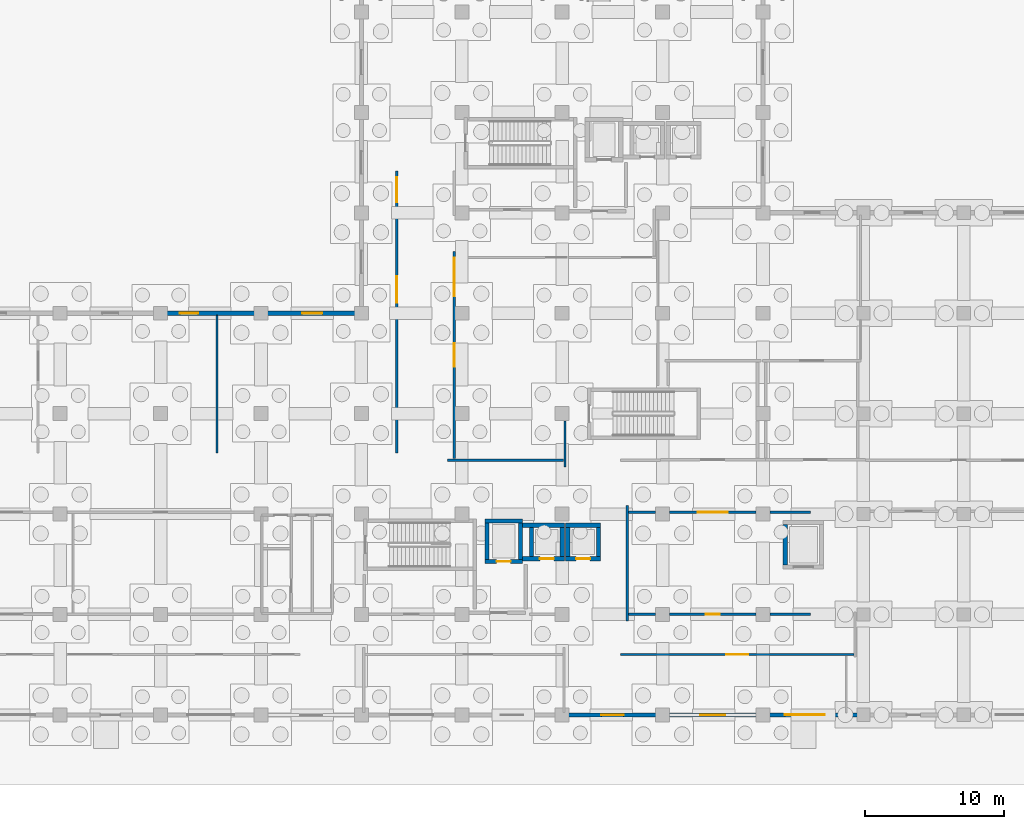
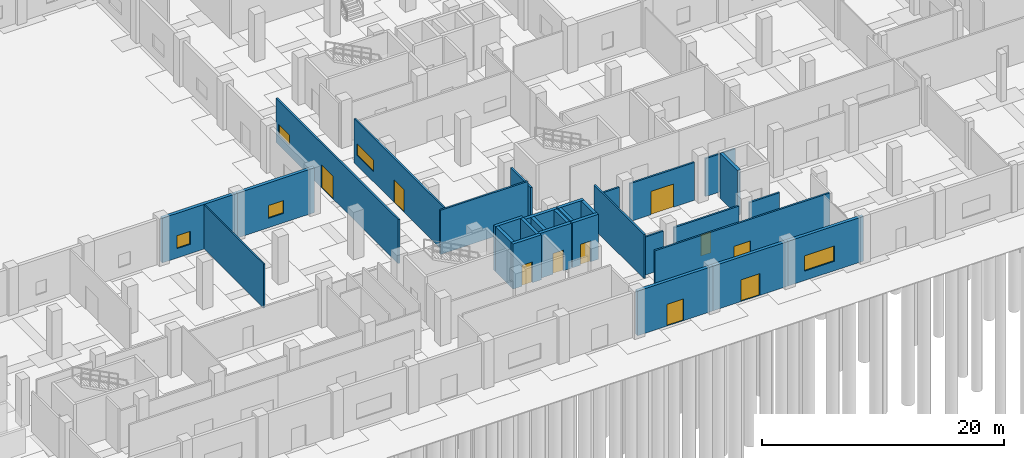
# One storey, part 23 of 48: 31 walls, 10 doors, 5 windows, 15 openings.
"""IFC4 building model written with IfcOpenShell, lengths in metres."""

from ifc_helpers import new_model, si_unit, direction, frame, frame_2d, origin, place, context, subcontext, project, spatial, rectangle, extrude, material, layer, layer_set, type_object, element, fill, save


model = new_model("IFC4")

# Units and contexts
model_context = context("Model", 3, precision=1e-05, world=origin(), true_north=direction((0.0, 1.0)))
body_context = subcontext(model_context, "Body", "Model", "MODEL_VIEW")
ifc_project = project(units=[si_unit("LENGTHUNIT", "METRE"), si_unit("AREAUNIT", "SQUARE_METRE"), si_unit("VOLUMEUNIT", "CUBIC_METRE"), si_unit("PLANEANGLEUNIT", "RADIAN"), si_unit("MASSUNIT", "GRAM", prefix="KILO")], contexts=[model_context])

# Site, building, storey
site_placement = place(None, origin())
site = spatial("IfcSite", under=ifc_project, at=site_placement, CompositionType="ELEMENT")
building_placement = place(site_placement, origin())
building = spatial("IfcBuilding", under=site, at=building_placement, Name="Seraya Terrace Polytechnic", CompositionType="ELEMENT")
storey_placement = place(building_placement, origin())
storey = spatial("IfcBuildingStorey", under=building, at=storey_placement, Name="L00", CompositionType="ELEMENT", Elevation=0.0)

# Wall, opening, window
ifc_material_1 = material(Name="Concrete C40/50", Category="concrete")
ifc_layer_1 = layer(ifc_material_1, 0.300048828125, Name="EW-01")
ifc_layer_set_1 = layer_set([ifc_layer_1], Name="Concrete C40/50")
wall_type_1 = type_object("IfcWallType", Name="EW-01", PredefinedType="SOLIDWALL", material=ifc_layer_set_1)
wall_1_placement = place(storey_placement, frame((115.199951171875, 0.0, 0.0), z_axis=(0.0, 0.0, 1.0), x_axis=(-1.0, 0.0, 0.0)))
wall_1 = element("IfcWall", 1, at=wall_1_placement, inside=storey, type_object=wall_type_1, Name="Exterior structural wall EW-01 L00", PredefinedType="SOLIDWALL", context=body_context, shape_type="SweptSolid", body=[
    extrude(rectangle(XDim=7.199951171875, YDim=0.300048828125, at=frame_2d((3.60009765625, 0.0))), origin(), (0.0, 0.0, 1.0), 4.52001953125),
])
opening_1_placement = place(wall_1_placement, frame((2.780029296875, 0.0, 0.949951171875)))
opening_1 = element("IfcOpeningElement", 2, at=opening_1_placement, cuts=wall_1, Name="Opening WN-23", PredefinedType="OPENING", context=body_context, shape_type="SweptSolid", body=[
    extrude(rectangle(XDim=2.85009765625, YDim=1.550048828125, at=frame_2d((1.425048828125, 0.77490234375))), frame((0.0, 0.162109375, 0.0), z_axis=(0.0, -1.0, 0.0), x_axis=(1.0, 0.0, 0.0)), (0.0, 0.0, 1.0), 0.323974609375),
])
ifc_material_2 = material(Name="Laminated solar-control Low-E double glazing", Category="glass")
window_type_1 = type_object("IfcWindowType", Name="WN-23", PartitioningType="SINGLE_PANEL", PredefinedType="WINDOW", material=ifc_material_2)
window_1_placement = place(opening_1_placement, origin())
window_1 = element("IfcWindow", 3, at=window_1_placement, inside=storey, type_object=window_type_1, Name="Exterior window WN-23 L00", OverallHeight=1.550048828125, OverallWidth=2.85009765625, PartitioningType="SINGLE_PANEL", PredefinedType="WINDOW", context=body_context, shape_type="SweptSolid", body=[
    extrude(rectangle(XDim=2.85009765625, YDim=1.550048828125, at=frame_2d((1.425048828125, 0.77490234375))), frame((0.0, 0.030029296875, 0.0), z_axis=(0.0, -1.0, 0.0), x_axis=(1.0, 0.0, 0.0)), (0.0, 0.0, 1.0), 0.06005859375),
])
fill(opening_1, window_1)

# Wall, opening, door
wall_2_placement = place(storey_placement, frame((108.0, 0.0, 0.0), z_axis=(0.0, 0.0, 1.0), x_axis=(-1.0, 0.0, 0.0)))
wall_2 = element("IfcWall", 4, at=wall_2_placement, inside=storey, type_object=wall_type_1, Name="Exterior structural wall EW-01 L00", PredefinedType="SOLIDWALL", context=body_context, shape_type="SweptSolid", body=[
    extrude(rectangle(XDim=7.199951171875, YDim=0.300048828125, at=frame_2d((3.60009765625, 0.0))), origin(), (0.0, 0.0, 1.0), 4.52001953125),
])
opening_2_placement = place(wall_2_placement, frame((2.699951171875, 0.0, 0.0)))
opening_2 = element("IfcOpeningElement", 5, at=opening_2_placement, cuts=wall_2, Name="Opening ED-01", PredefinedType="OPENING", context=body_context, shape_type="SweptSolid", body=[
    extrude(rectangle(XDim=1.800048828125, YDim=2.199951171875, at=frame_2d((0.89990234375, 1.10009765625))), frame((0.0, 0.162109375, 0.0), z_axis=(0.0, -1.0, 0.0), x_axis=(1.0, 0.0, 0.0)), (0.0, 0.0, 1.0), 0.323974609375),
])
ifc_material_3 = material(Name="Anodised aluminium EN AW-6063 T6", Category="aluminium")
door_type_1 = type_object("IfcDoorType", Name="ED-01", OperationType="DOUBLE_DOOR_SINGLE_SWING", PredefinedType="DOOR", material=ifc_material_3)
door_1_placement = place(opening_2_placement, origin())
door_1 = element("IfcDoor", 6, at=door_1_placement, inside=storey, type_object=door_type_1, Name="Door ED-01 DR-EXIT-L00-025 in WL-EXT-L00-08-08", OperationType="DOUBLE_DOOR_SINGLE_SWING", OverallHeight=2.199951171875, OverallWidth=1.800048828125, PredefinedType="DOOR", context=body_context, shape_type="SweptSolid", body=[
    extrude(rectangle(XDim=1.800048828125, YDim=2.199951171875, at=frame_2d((0.89990234375, 1.10009765625))), frame((0.0, 0.02490234375, 0.0), z_axis=(0.0, -1.0, 0.0), x_axis=(1.0, 0.0, 0.0)), (0.0, 0.0, 1.0), 0.050048828125),
])
fill(opening_2, door_1)

wall_3_placement = place(storey_placement, frame((100.800048828125, 0.0, 0.0), z_axis=(0.0, 0.0, 1.0), x_axis=(-1.0, 0.0, 0.0)))
wall_3 = element("IfcWall", 7, at=wall_3_placement, inside=storey, type_object=wall_type_1, Name="Exterior structural wall EW-01 L00", PredefinedType="SOLIDWALL", context=body_context, shape_type="SweptSolid", body=[
    extrude(rectangle(XDim=7.199951171875, YDim=0.300048828125, at=frame_2d((3.60009765625, 0.0))), origin(), (0.0, 0.0, 1.0), 4.52001953125),
])
opening_3_placement = place(wall_3_placement, frame((2.800048828125, 0.0, 0.0)))
opening_3 = element("IfcOpeningElement", 8, at=opening_3_placement, cuts=wall_3, Name="Opening ED-03", PredefinedType="OPENING", context=body_context, shape_type="SweptSolid", body=[
    extrude(rectangle(XDim=1.60009765625, YDim=2.199951171875, at=frame_2d((0.800048828125, 1.10009765625))), frame((0.0, 0.162109375, 0.0), z_axis=(0.0, -1.0, 0.0), x_axis=(1.0, 0.0, 0.0)), (0.0, 0.0, 1.0), 0.323974609375),
])
door_type_2 = type_object("IfcDoorType", Name="ED-03", OperationType="DOUBLE_DOOR_SINGLE_SWING", PredefinedType="DOOR", material=ifc_material_3)
door_2_placement = place(opening_3_placement, origin())
door_2 = element("IfcDoor", 9, at=door_2_placement, inside=storey, type_object=door_type_2, Name="Door ED-03 DR-STEXIT-ST-05 in WL-EXT-L00-08-09", OperationType="DOUBLE_DOOR_SINGLE_SWING", OverallHeight=2.199951171875, OverallWidth=1.60009765625, PredefinedType="DOOR", context=body_context, shape_type="SweptSolid", body=[
    extrude(rectangle(XDim=1.60009765625, YDim=2.199951171875, at=frame_2d((0.800048828125, 1.10009765625))), frame((0.0, 0.02490234375, 0.0), z_axis=(0.0, -1.0, 0.0), x_axis=(1.0, 0.0, 0.0)), (0.0, 0.0, 1.0), 0.050048828125),
])
fill(opening_3, door_2)

# Wall, opening, window
wall_4_placement = place(storey_placement, frame((64.800048828125, 28.800048828125, 0.0), z_axis=(0.0, 0.0, 1.0), x_axis=(1.0, 0.0, 0.0)))
wall_4 = element("IfcWall", 10, at=wall_4_placement, inside=storey, type_object=wall_type_1, Name="Exterior structural wall EW-01 L00", PredefinedType="SOLIDWALL", context=body_context, shape_type="SweptSolid", body=[
    extrude(rectangle(XDim=7.199951171875, YDim=0.300048828125, at=frame_2d((3.60009765625, 0.0))), origin(), (0.0, 0.0, 1.0), 4.52001953125),
])
opening_4_placement = place(wall_4_placement, frame((1.384521484375, 0.0, 0.949951171875)))
opening_4 = element("IfcOpeningElement", 11, at=opening_4_placement, cuts=wall_4, Name="Opening WN-03", PredefinedType="OPENING", context=body_context, shape_type="SweptSolid", body=[
    extrude(rectangle(XDim=1.300048828125, YDim=1.300048828125, at=frame_2d((0.64990234375, 0.64990234375))), frame((0.0, 0.162109375, 0.0), z_axis=(0.0, -1.0, 0.0), x_axis=(1.0, 0.0, 0.0)), (0.0, 0.0, 1.0), 0.323974609375),
])
window_type_2 = type_object("IfcWindowType", Name="WN-03", PartitioningType="SINGLE_PANEL", PredefinedType="WINDOW", material=ifc_material_2)
window_2_placement = place(opening_4_placement, origin())
window_2 = element("IfcWindow", 12, at=window_2_placement, inside=storey, type_object=window_type_2, Name="Exterior window WN-03 L00", OverallHeight=1.300048828125, OverallWidth=1.300048828125, PartitioningType="SINGLE_PANEL", PredefinedType="WINDOW", context=body_context, shape_type="SweptSolid", body=[
    extrude(rectangle(XDim=1.300048828125, YDim=1.300048828125, at=frame_2d((0.64990234375, 0.64990234375))), frame((0.0, 0.030029296875, 0.0), z_axis=(0.0, -1.0, 0.0), x_axis=(1.0, 0.0, 0.0)), (0.0, 0.0, 1.0), 0.06005859375),
])
fill(opening_4, window_2)

wall_5_placement = place(storey_placement, frame((72.0, 28.800048828125, 0.0), z_axis=(0.0, 0.0, 1.0), x_axis=(1.0, 0.0, 0.0)))
wall_5 = element("IfcWall", 13, at=wall_5_placement, inside=storey, type_object=wall_type_1, Name="Exterior structural wall EW-01 L00", PredefinedType="SOLIDWALL", context=body_context, shape_type="SweptSolid", body=[
    extrude(rectangle(XDim=7.35009765625, YDim=0.300048828125, at=frame_2d((3.675048828125, 0.0))), origin(), (0.0, 0.0, 1.0), 4.52001953125),
])
opening_5_placement = place(wall_5_placement, frame((2.949951171875, 0.0, 0.949951171875)))
opening_5 = element("IfcOpeningElement", 14, at=opening_5_placement, cuts=wall_5, Name="Opening WN-04", PredefinedType="OPENING", context=body_context, shape_type="SweptSolid", body=[
    extrude(rectangle(XDim=1.449951171875, YDim=1.300048828125, at=frame_2d((0.72509765625, 0.64990234375))), frame((0.0, 0.162109375, 0.0), z_axis=(0.0, -1.0, 0.0), x_axis=(1.0, 0.0, 0.0)), (0.0, 0.0, 1.0), 0.323974609375),
])
window_type_3 = type_object("IfcWindowType", Name="WN-04", PartitioningType="SINGLE_PANEL", PredefinedType="WINDOW", material=ifc_material_2)
window_3_placement = place(opening_5_placement, origin())
window_3 = element("IfcWindow", 15, at=window_3_placement, inside=storey, type_object=window_type_3, Name="Exterior window WN-04 L00", OverallHeight=1.300048828125, OverallWidth=1.449951171875, PartitioningType="SINGLE_PANEL", PredefinedType="WINDOW", context=body_context, shape_type="SweptSolid", body=[
    extrude(rectangle(XDim=1.449951171875, YDim=1.300048828125, at=frame_2d((0.72509765625, 0.64990234375))), frame((0.0, 0.030029296875, 0.0), z_axis=(0.0, -1.0, 0.0), x_axis=(1.0, 0.0, 0.0)), (0.0, 0.0, 1.0), 0.06005859375),
])
fill(opening_5, window_3)

# Walls
ifc_material_4 = material(Name="Autoclaved aerated concrete blockwork", Category="masonry")
ifc_layer_2 = layer(ifc_material_4, 0.169921875, Name="PT-02")
ifc_layer_set_2 = layer_set([ifc_layer_2], Name="Autoclaved aerated concrete blockwork")
wall_type_2 = type_object("IfcWallType", Name="PT-02", PredefinedType="PARTITIONING", material=ifc_layer_set_2)
wall_6_placement = place(storey_placement, frame((98.27001953125, 6.72998046875, 0.0), z_axis=(0.0, 0.0, 1.0), x_axis=(0.0, 1.0, 0.0)))
element("IfcWall", 16, at=wall_6_placement, inside=storey, type_object=wall_type_2, Name="Internal partition PT-02 L00", PredefinedType="PARTITIONING", context=body_context, shape_type="SweptSolid", body=[
    extrude(rectangle(XDim=8.2900390625, YDim=0.169921875, at=frame_2d((4.14501953125, 0.0))), origin(), (0.0, 0.0, 1.0), 4.4599609375),
])
wall_7_placement = place(storey_placement, frame((93.800048828125, 17.7685546875, 0.0), z_axis=(0.0, 0.0, 1.0), x_axis=(0.0, 1.0, 0.0)))
element("IfcWall", 17, at=wall_7_placement, inside=storey, type_object=wall_type_2, Name="Internal partition PT-02 L00", PredefinedType="PARTITIONING", context=body_context, shape_type="SweptSolid", body=[
    extrude(rectangle(XDim=3.321533203125, YDim=0.169921875, at=frame_2d((1.66064453125, 0.0))), origin(), (0.0, 0.0, 1.0), 4.080078125),
])

# Wall, opening, door
wall_8_placement = place(storey_placement, frame((101.31005859375, 14.530029296875, 0.0), z_axis=(0.0, 0.0, 1.0), x_axis=(1.0, 0.0, 0.0)))
wall_8 = element("IfcWall", 18, at=wall_8_placement, inside=storey, type_object=wall_type_2, Name="Internal partition PT-02 L00", PredefinedType="PARTITIONING", context=body_context, shape_type="SweptSolid", body=[
    extrude(rectangle(XDim=6.179931640625, YDim=0.169921875, at=frame_2d((3.08984375, 0.0))), origin(), (0.0, 0.0, 1.0), 3.830078125),
])
opening_6_placement = place(wall_8_placement, frame((2.010009765625, 0.0, 0.0)))
opening_6 = element("IfcOpeningElement", 19, at=opening_6_placement, cuts=wall_8, Name="Opening ID-18", PredefinedType="OPENING", context=body_context, shape_type="SweptSolid", body=[
    extrude(rectangle(XDim=2.159912109375, YDim=2.35009765625, at=frame_2d((1.080078125, 1.175048828125))), frame((0.0, 0.096923828125, 0.0), z_axis=(0.0, -1.0, 0.0), x_axis=(1.0, 0.0, 0.0)), (0.0, 0.0, 1.0), 0.19384765625),
])
ifc_material_5 = material(Name="Malaysian dark red meranti hardwood timber D40", Category="wood")
door_type_3 = type_object("IfcDoorType", Name="ID-18", OperationType="DOUBLE_DOOR_SINGLE_SWING", PredefinedType="DOOR", material=ifc_material_5)
door_3_placement = place(opening_6_placement, frame((2.159912109375, 0.0, 0.0), z_axis=(0.0, 0.0, 1.0), x_axis=(-1.0, 0.0, 0.0)))
door_3 = element("IfcDoor", 20, at=door_3_placement, inside=storey, type_object=door_type_3, Name="Door ID-18 DR-INT-L00-0047 in WL-INT-L00-0033", OperationType="DOUBLE_DOOR_SINGLE_SWING", OverallHeight=2.35009765625, OverallWidth=2.159912109375, PredefinedType="DOOR", context=body_context, shape_type="SweptSolid", body=[
    extrude(rectangle(XDim=2.159912109375, YDim=2.35009765625, at=frame_2d((1.080078125, 1.175048828125))), frame((0.0, 0.02490234375, 0.0), z_axis=(0.0, -1.0, 0.0), x_axis=(1.0, 0.0, 0.0)), (0.0, 0.0, 1.0), 0.050048828125),
])
fill(opening_6, door_3)

# Walls
wall_9_placement = place(storey_placement, frame((108.510009765625, 14.530029296875, 0.0), z_axis=(0.0, 0.0, 1.0), x_axis=(1.0, 0.0, 0.0)))
element("IfcWall", 21, at=wall_9_placement, inside=storey, type_object=wall_type_2, Name="Internal partition PT-02 L00", PredefinedType="PARTITIONING", context=body_context, shape_type="SweptSolid", body=[
    extrude(rectangle(XDim=2.889892578125, YDim=0.169921875, at=frame_2d((1.44482421875, 0.0))), origin(), (0.0, 0.0, 1.0), 3.830078125),
])
wall_10_placement = place(storey_placement, frame((98.3701171875, 14.530029296875, 0.0), z_axis=(0.0, 0.0, 1.0), x_axis=(1.0, 0.0, 0.0)))
element("IfcWall", 22, at=wall_10_placement, inside=storey, type_object=wall_type_2, Name="Internal partition PT-02 L00", PredefinedType="PARTITIONING", context=body_context, shape_type="SweptSolid", body=[
    extrude(rectangle(XDim=1.919921875, YDim=0.169921875, at=frame_2d((0.9599609375, 0.0))), origin(), (0.0, 0.0, 1.0), 3.830078125),
])
wall_11_placement = place(storey_placement, frame((85.366455078125, 18.27001953125, 0.0), z_axis=(0.0, 0.0, 1.0), x_axis=(1.0, 0.0, 0.0)))
element("IfcWall", 23, at=wall_11_placement, inside=storey, type_object=wall_type_2, Name="Internal partition PT-02 L00", PredefinedType="PARTITIONING", context=body_context, shape_type="SweptSolid", body=[
    extrude(rectangle(XDim=8.33349609375, YDim=0.169921875, at=frame_2d((4.166748046875, 0.0))), origin(), (0.0, 0.0, 1.0), 4.4599609375),
])

# Wall, opening, door
wall_12_placement = place(storey_placement, frame((101.31005859375, 7.219970703125, 0.0), z_axis=(0.0, 0.0, 1.0), x_axis=(1.0, 0.0, 0.0)))
wall_12 = element("IfcWall", 24, at=wall_12_placement, inside=storey, type_object=wall_type_2, Name="Internal partition PT-02 L00", PredefinedType="PARTITIONING", context=body_context, shape_type="SweptSolid", body=[
    extrude(rectangle(XDim=6.179931640625, YDim=0.169921875, at=frame_2d((3.08984375, 0.0))), origin(), (0.0, 0.0, 1.0), 3.830078125),
])
opening_7_placement = place(wall_12_placement, frame((2.60009765625, 0.0, 0.0)))
opening_7 = element("IfcOpeningElement", 25, at=opening_7_placement, cuts=wall_12, Name="Opening ID-03", PredefinedType="OPENING", context=body_context, shape_type="SweptSolid", body=[
    extrude(rectangle(XDim=0.97998046875, YDim=2.139892578125, at=frame_2d((0.489990234375, 1.06982421875))), frame((0.0, 0.096923828125, 0.0), z_axis=(0.0, -1.0, 0.0), x_axis=(1.0, 0.0, 0.0)), (0.0, 0.0, 1.0), 0.19384765625),
])
door_type_4 = type_object("IfcDoorType", Name="ID-03", OperationType="NOTDEFINED", PredefinedType="DOOR", material=ifc_material_5)
door_4_placement = place(opening_7_placement, origin())
door_4 = element("IfcDoor", 26, at=door_4_placement, inside=storey, type_object=door_type_4, Name="Door ID-03 DR-INT-L00-0048 in WL-INT-L00-0045", OperationType="SINGLE_SWING_LEFT", OverallHeight=2.139892578125, OverallWidth=0.97998046875, PredefinedType="DOOR", context=body_context, shape_type="SweptSolid", body=[
    extrude(rectangle(XDim=0.97998046875, YDim=2.139892578125, at=frame_2d((0.489990234375, 1.06982421875))), frame((0.0, 0.02490234375, 0.0), z_axis=(0.0, -1.0, 0.0), x_axis=(1.0, 0.0, 0.0)), (0.0, 0.0, 1.0), 0.050048828125),
])
fill(opening_7, door_4)

# Walls
wall_13_placement = place(storey_placement, frame((108.510009765625, 7.219970703125, 0.0), z_axis=(0.0, 0.0, 1.0), x_axis=(1.0, 0.0, 0.0)))
element("IfcWall", 27, at=wall_13_placement, inside=storey, type_object=wall_type_2, Name="Internal partition PT-02 L00", PredefinedType="PARTITIONING", context=body_context, shape_type="SweptSolid", body=[
    extrude(rectangle(XDim=2.889892578125, YDim=0.169921875, at=frame_2d((1.44482421875, 0.0))), origin(), (0.0, 0.0, 1.0), 3.830078125),
])
wall_14_placement = place(storey_placement, frame((98.3701171875, 7.219970703125, 0.0), z_axis=(0.0, 0.0, 1.0), x_axis=(1.0, 0.0, 0.0)))
element("IfcWall", 28, at=wall_14_placement, inside=storey, type_object=wall_type_2, Name="Internal partition PT-02 L00", PredefinedType="PARTITIONING", context=body_context, shape_type="SweptSolid", body=[
    extrude(rectangle(XDim=1.919921875, YDim=0.169921875, at=frame_2d((0.9599609375, 0.0))), origin(), (0.0, 0.0, 1.0), 3.830078125),
])

# Wall, opening, door
wall_15_placement = place(storey_placement, frame((97.7880859375, 4.330078125, 0.0), z_axis=(0.0, 0.0, 1.0), x_axis=(1.0, 0.0, 0.0)))
wall_15 = element("IfcWall", 29, at=wall_15_placement, inside=storey, type_object=wall_type_2, Name="Internal partition PT-02 L00", PredefinedType="PARTITIONING", context=body_context, shape_type="SweptSolid", body=[
    extrude(rectangle(XDim=16.741943359375, YDim=0.169921875, at=frame_2d((8.37109375, 0.0))), origin(), (0.0, 0.0, 1.0), 4.4599609375),
])
opening_8_placement = place(wall_15_placement, frame((7.591064453125, 0.0, 0.0)))
opening_8 = element("IfcOpeningElement", 30, at=opening_8_placement, cuts=wall_15, Name="Opening ID-12", PredefinedType="OPENING", context=body_context, shape_type="SweptSolid", body=[
    extrude(rectangle(XDim=1.56005859375, YDim=2.260009765625, at=frame_2d((0.780029296875, 1.1298828125))), frame((0.0, 0.096923828125, 0.0), z_axis=(0.0, -1.0, 0.0), x_axis=(1.0, 0.0, 0.0)), (0.0, 0.0, 1.0), 0.19384765625),
])
door_type_5 = type_object("IfcDoorType", Name="ID-12", OperationType="DOUBLE_DOOR_SINGLE_SWING", PredefinedType="DOOR", material=ifc_material_5)
door_5_placement = place(opening_8_placement, frame((1.56005859375, 0.0, 0.0), z_axis=(0.0, 0.0, 1.0), x_axis=(-1.0, 0.0, 0.0)))
door_5 = element("IfcDoor", 31, at=door_5_placement, inside=storey, type_object=door_type_5, Name="Door ID-12 DR-INT-L00-0057 in WL-INT-L00-0048", OperationType="DOUBLE_DOOR_SINGLE_SWING", OverallHeight=2.260009765625, OverallWidth=1.56005859375, PredefinedType="DOOR", context=body_context, shape_type="SweptSolid", body=[
    extrude(rectangle(XDim=1.56005859375, YDim=2.260009765625, at=frame_2d((0.780029296875, 1.1298828125))), frame((0.0, 0.02490234375, 0.0), z_axis=(0.0, -1.0, 0.0), x_axis=(1.0, 0.0, 0.0)), (0.0, 0.0, 1.0), 0.050048828125),
])
fill(opening_8, door_5)

# Wall, openings, door, window
wall_16_placement = place(storey_placement, frame((81.72998046875, 18.780029296875, 0.0), z_axis=(0.0, 0.0, 1.0), x_axis=(0.0, 1.0, 0.0)))
wall_16 = element("IfcWall", 32, at=wall_16_placement, inside=storey, type_object=wall_type_2, Name="Internal partition PT-02 L00", PredefinedType="PARTITIONING", context=body_context, shape_type="SweptSolid", body=[
    extrude(rectangle(XDim=20.23193359375, YDim=0.169921875, at=frame_2d((10.115966796875, 0.0))), origin(), (0.0, 0.0, 1.0), 4.4599609375),
])
opening_9_placement = place(wall_16_placement, frame((10.756103515625, 0.0, 0.0)))
opening_9 = element("IfcOpeningElement", 33, at=opening_9_placement, cuts=wall_16, Name="Opening ID-16", PredefinedType="OPENING", context=body_context, shape_type="SweptSolid", body=[
    extrude(rectangle(XDim=1.919921875, YDim=2.320068359375, at=frame_2d((0.9599609375, 1.16015625))), frame((0.0, 0.096923828125, 0.0), z_axis=(0.0, -1.0, 0.0), x_axis=(1.0, 0.0, 0.0)), (0.0, 0.0, 1.0), 0.19384765625),
])
opening_10_placement = place(wall_16_placement, frame((17.98193359375, 0.0, 1.050048828125)))
opening_10 = element("IfcOpeningElement", 34, at=opening_10_placement, cuts=wall_16, Name="Opening IW-02", PredefinedType="OPENING", context=body_context, shape_type="SweptSolid", body=[
    extrude(rectangle(XDim=1.800048828125, YDim=1.050048828125, at=frame_2d((0.89990234375, 0.52490234375))), frame((0.0, 0.096923828125, 0.0), z_axis=(0.0, -1.0, 0.0), x_axis=(1.0, 0.0, 0.0)), (0.0, 0.0, 1.0), 0.19384765625),
])
door_type_6 = type_object("IfcDoorType", Name="ID-16", OperationType="DOUBLE_DOOR_SINGLE_SWING", PredefinedType="DOOR", material=ifc_material_5)
door_6_placement = place(opening_9_placement, frame((1.919921875, 0.0, 0.0), z_axis=(0.0, 0.0, 1.0), x_axis=(-1.0, 0.0, 0.0)))
door_6 = element("IfcDoor", 35, at=door_6_placement, inside=storey, type_object=door_type_6, Name="Door ID-16 DR-INT-L00-0061 in WL-INT-L00-0059", OperationType="DOUBLE_DOOR_SINGLE_SWING", OverallHeight=2.320068359375, OverallWidth=1.919921875, PredefinedType="DOOR", context=body_context, shape_type="SweptSolid", body=[
    extrude(rectangle(XDim=1.919921875, YDim=2.320068359375, at=frame_2d((0.9599609375, 1.16015625))), frame((0.0, 0.02490234375, 0.0), z_axis=(0.0, -1.0, 0.0), x_axis=(1.0, 0.0, 0.0)), (0.0, 0.0, 1.0), 0.050048828125),
])
fill(opening_9, door_6)
window_type_4 = type_object("IfcWindowType", Name="IW-02", PartitioningType="SINGLE_PANEL", PredefinedType="WINDOW", material=ifc_material_2)
window_4_placement = place(opening_10_placement, origin())
window_4 = element("IfcWindow", 36, at=window_4_placement, inside=storey, type_object=window_type_4, Name="Internal lab vision window IW-02 L00", OverallHeight=1.050048828125, OverallWidth=1.800048828125, PartitioningType="SINGLE_PANEL", PredefinedType="WINDOW", context=body_context, shape_type="SweptSolid", body=[
    extrude(rectangle(XDim=1.800048828125, YDim=1.050048828125, at=frame_2d((0.89990234375, 0.52490234375))), frame((0.0, 0.030029296875, 0.0), z_axis=(0.0, -1.0, 0.0), x_axis=(1.0, 0.0, 0.0)), (0.0, 0.0, 1.0), 0.06005859375),
])
fill(opening_10, window_4)

wall_17_placement = place(storey_placement, frame((85.86328125, 18.3701171875, 0.0), z_axis=(0.0, 0.0, 1.0), x_axis=(0.0, 1.0, 0.0)))
wall_17 = element("IfcWall", 37, at=wall_17_placement, inside=storey, type_object=wall_type_2, Name="Internal partition PT-02 L00", PredefinedType="PARTITIONING", context=body_context, shape_type="SweptSolid", body=[
    extrude(rectangle(XDim=14.849853515625, YDim=0.169921875, at=frame_2d((7.4248046875, 0.0))), origin(), (0.0, 0.0, 1.0), 4.4599609375),
])
opening_11_placement = place(wall_17_placement, frame((6.5849609375, 0.0, 0.0)))
opening_11 = element("IfcOpeningElement", 38, at=opening_11_placement, cuts=wall_17, Name="Opening ID-13", PredefinedType="OPENING", context=body_context, shape_type="SweptSolid", body=[
    extrude(rectangle(XDim=1.679931640625, YDim=2.280029296875, at=frame_2d((0.83984375, 1.14013671875))), frame((0.0, 0.096923828125, 0.0), z_axis=(0.0, -1.0, 0.0), x_axis=(1.0, 0.0, 0.0)), (0.0, 0.0, 1.0), 0.19384765625),
])
opening_12_placement = place(wall_17_placement, frame((11.64990234375, 0.0, 1.050048828125)))
opening_12 = element("IfcOpeningElement", 39, at=opening_12_placement, cuts=wall_17, Name="Opening IW-05", PredefinedType="OPENING", context=body_context, shape_type="SweptSolid", body=[
    extrude(rectangle(XDim=2.75, YDim=1.14990234375, at=frame_2d((1.375, 0.574951171875))), frame((0.0, 0.096923828125, 0.0), z_axis=(0.0, -1.0, 0.0), x_axis=(1.0, 0.0, 0.0)), (0.0, 0.0, 1.0), 0.19384765625),
])
door_type_7 = type_object("IfcDoorType", Name="ID-13", OperationType="DOUBLE_DOOR_SINGLE_SWING", PredefinedType="DOOR", material=ifc_material_5)
door_7_placement = place(opening_11_placement, origin())
door_7 = element("IfcDoor", 40, at=door_7_placement, inside=storey, type_object=door_type_7, Name="Door ID-13 DR-INT-L00-0058 in WL-INT-L00-0060", OperationType="DOUBLE_DOOR_SINGLE_SWING", OverallHeight=2.280029296875, OverallWidth=1.679931640625, PredefinedType="DOOR", context=body_context, shape_type="SweptSolid", body=[
    extrude(rectangle(XDim=1.679931640625, YDim=2.280029296875, at=frame_2d((0.83984375, 1.14013671875))), frame((0.0, 0.02490234375, 0.0), z_axis=(0.0, -1.0, 0.0), x_axis=(1.0, 0.0, 0.0)), (0.0, 0.0, 1.0), 0.050048828125),
])
fill(opening_11, door_7)
window_type_5 = type_object("IfcWindowType", Name="IW-05", PartitioningType="SINGLE_PANEL", PredefinedType="WINDOW", material=ifc_material_2)
window_5_placement = place(opening_12_placement, origin())
window_5 = element("IfcWindow", 41, at=window_5_placement, inside=storey, type_object=window_type_5, Name="Internal lab vision window IW-05 L00", OverallHeight=1.14990234375, OverallWidth=2.75, PartitioningType="SINGLE_PANEL", PredefinedType="WINDOW", context=body_context, shape_type="SweptSolid", body=[
    extrude(rectangle(XDim=2.75, YDim=1.14990234375, at=frame_2d((1.375, 0.574951171875))), frame((0.0, 0.030029296875, 0.0), z_axis=(0.0, -1.0, 0.0), x_axis=(1.0, 0.0, 0.0)), (0.0, 0.0, 1.0), 0.06005859375),
])
fill(opening_12, window_5)

# Wall
ifc_layer_3 = layer(ifc_material_4, 0.1201171875, Name="PT-05")
ifc_layer_set_3 = layer_set([ifc_layer_3], Name="Autoclaved aerated concrete blockwork")
wall_type_3 = type_object("IfcWallType", Name="PT-05", PredefinedType="PARTITIONING", material=ifc_layer_set_3)
wall_18_placement = place(storey_placement, frame((68.84912109375, 18.780029296875, 0.0), z_axis=(0.0, 0.0, 1.0), x_axis=(0.0, 1.0, 0.0)))
element("IfcWall", 42, at=wall_18_placement, inside=storey, type_object=wall_type_3, Name="Internal partition PT-05 L00", PredefinedType="PARTITIONING", context=body_context, shape_type="SweptSolid", body=[
    extrude(rectangle(XDim=9.85791015625, YDim=0.1201171875, at=frame_2d((4.928955078125, 0.0))), origin(), (0.0, 0.0, 1.0), 4.4599609375),
])

# Wall, opening, door
ifc_layer_4 = layer(ifc_material_1, 0.300048828125, Name="SW-01")
ifc_layer_set_4 = layer_set([ifc_layer_4], Name="Concrete C40/50")
wall_type_4 = type_object("IfcWallType", Name="SW-01", PredefinedType="SHEAR", material=ifc_layer_set_4)
wall_19_placement = place(storey_placement, frame((88.050048828125, 11.0, 0.0), z_axis=(0.0, 0.0, 1.0), x_axis=(1.0, 0.0, 0.0)))
wall_19 = element("IfcWall", 43, at=wall_19_placement, inside=storey, type_object=wall_type_4, Name="Lift shaft FL-01 South wall L00", PredefinedType="SHEAR", context=body_context, shape_type="SweptSolid", body=[
    extrude(rectangle(XDim=2.699951171875, YDim=0.300048828125, at=frame_2d((1.35009765625, 0.0))), origin(), (0.0, 0.0, 1.0), 4.550048828125),
])
opening_13_placement = place(wall_19_placement, frame((0.85009765625, 0.0, 0.0)))
opening_13 = element("IfcOpeningElement", 44, at=opening_13_placement, cuts=wall_19, Name="Opening LD-01", PredefinedType="OPENING", context=body_context, shape_type="SweptSolid", body=[
    extrude(rectangle(XDim=1.0, YDim=2.10009765625, at=frame_2d((0.5, 1.050048828125))), frame((0.0, 0.162109375, 0.0), z_axis=(0.0, -1.0, 0.0), x_axis=(1.0, 0.0, 0.0)), (0.0, 0.0, 1.0), 0.323974609375),
])
ifc_material_6 = material(Name="Steel S355J2", Category="steel")
door_type_8 = type_object("IfcDoorType", Name="LD-01", OperationType="SLIDING_TO_LEFT", PredefinedType="DOOR", material=ifc_material_6)
door_8_placement = place(opening_13_placement, frame((1.0, 0.0, 0.0), z_axis=(0.0, 0.0, 1.0), x_axis=(-1.0, 0.0, 0.0)))
door_8 = element("IfcDoor", 45, at=door_8_placement, inside=storey, type_object=door_type_8, Name="Door LD-01 LD-FL-01-L00 in WL-SHF-FL-01-L00-S", OperationType="SLIDING_TO_LEFT", OverallHeight=2.10009765625, OverallWidth=1.0, PredefinedType="DOOR", context=body_context, shape_type="SweptSolid", body=[
    extrude(rectangle(XDim=1.0, YDim=2.10009765625, at=frame_2d((0.5, 1.050048828125))), frame((0.0, 0.02490234375, 0.0), z_axis=(0.0, -1.0, 0.0), x_axis=(1.0, 0.0, 0.0)), (0.0, 0.0, 1.0), 0.050048828125),
])
fill(opening_13, door_8)

# Walls
wall_20_placement = place(storey_placement, frame((88.050048828125, 13.89990234375, 0.0), z_axis=(0.0, 0.0, 1.0), x_axis=(1.0, 0.0, 0.0)))
element("IfcWall", 46, at=wall_20_placement, inside=storey, type_object=wall_type_4, Name="Lift shaft FL-01 North wall L00", PredefinedType="SHEAR", context=body_context, shape_type="SweptSolid", body=[
    extrude(rectangle(XDim=2.699951171875, YDim=0.300048828125, at=frame_2d((1.35009765625, 0.0))), origin(), (0.0, 0.0, 1.0), 4.550048828125),
])
for number, where, z_axis, x_axis, name in (
    (47, (88.199951171875, 11.14990234375, 0.0), (0.0, 0.0, 1.0), (0.0, 1.0, 0.0), "Lift shaft FL-01 West wall L00"),
    (48, (90.60009765625, 11.14990234375, 0.0), (0.0, 0.0, 1.0), (0.0, 1.0, 0.0), "Lift shaft FL-01 East wall L00"),
):
    element("IfcWall", number, at=place(storey_placement, frame(where, z_axis=z_axis, x_axis=x_axis)), inside=storey, type_object=wall_type_4, Name=name, PredefinedType="SHEAR", context=body_context, shape_type="SweptSolid", body=[
        extrude(rectangle(XDim=2.60009765625, YDim=0.300048828125, at=frame_2d((1.300048828125, 0.0))), origin(), (0.0, 0.0, 1.0), 4.550048828125),
    ])

# Wall, opening, door
wall_21_placement = place(storey_placement, frame((90.75, 11.199951171875, 0.0), z_axis=(0.0, 0.0, 1.0), x_axis=(1.0, 0.0, 0.0)))
wall_21 = element("IfcWall", 49, at=wall_21_placement, inside=storey, type_object=wall_type_4, Name="Lift shaft PL-01 South wall L00", PredefinedType="SHEAR", context=body_context, shape_type="SweptSolid", body=[
    extrude(rectangle(XDim=3.0, YDim=0.300048828125, at=frame_2d((1.5, 0.0))), origin(), (0.0, 0.0, 1.0), 4.550048828125),
])
opening_14_placement = place(wall_21_placement, frame((1.25, 0.0, 0.0)))
opening_14 = element("IfcOpeningElement", 50, at=opening_14_placement, cuts=wall_21, Name="Opening LD-01", PredefinedType="OPENING", context=body_context, shape_type="SweptSolid", body=[
    extrude(rectangle(XDim=1.0, YDim=2.10009765625, at=frame_2d((0.5, 1.050048828125))), frame((0.0, 0.162109375, 0.0), z_axis=(0.0, -1.0, 0.0), x_axis=(1.0, 0.0, 0.0)), (0.0, 0.0, 1.0), 0.323974609375),
])
door_9_placement = place(opening_14_placement, frame((1.0, 0.0, 0.0), z_axis=(0.0, 0.0, 1.0), x_axis=(-1.0, 0.0, 0.0)))
door_9 = element("IfcDoor", 51, at=door_9_placement, inside=storey, type_object=door_type_8, Name="Door LD-01 LD-PL-01-L00 in WL-SHF-PL-01-L00-S", OperationType="SLIDING_TO_RIGHT", OverallHeight=2.10009765625, OverallWidth=1.0, PredefinedType="DOOR", context=body_context, shape_type="SweptSolid", body=[
    extrude(rectangle(XDim=1.0, YDim=2.10009765625, at=frame_2d((0.5, 1.050048828125))), frame((0.0, 0.02490234375, 0.0), z_axis=(0.0, -1.0, 0.0), x_axis=(1.0, 0.0, 0.0)), (0.0, 0.0, 1.0), 0.050048828125),
])
fill(opening_14, door_9)

# Walls
wall_22_placement = place(storey_placement, frame((90.75, 13.60009765625, 0.0), z_axis=(0.0, 0.0, 1.0), x_axis=(1.0, 0.0, 0.0)))
element("IfcWall", 52, at=wall_22_placement, inside=storey, type_object=wall_type_4, Name="Lift shaft PL-01 North wall L00", PredefinedType="SHEAR", context=body_context, shape_type="SweptSolid", body=[
    extrude(rectangle(XDim=3.0, YDim=0.300048828125, at=frame_2d((1.5, 0.0))), origin(), (0.0, 0.0, 1.0), 4.550048828125),
])
for number, where, z_axis, x_axis, name in (
    (53, (91.39990234375, 11.35009765625, 0.0), (0.0, 0.0, 1.0), (0.0, 1.0, 0.0), "Lift shaft PL-01 West wall L00"),
    (54, (93.60009765625, 11.35009765625, 0.0), (0.0, 0.0, 1.0), (0.0, 1.0, 0.0), "Lift shaft PL-01 East wall L00"),
):
    element("IfcWall", number, at=place(storey_placement, frame(where, z_axis=z_axis, x_axis=x_axis)), inside=storey, type_object=wall_type_4, Name=name, PredefinedType="SHEAR", context=body_context, shape_type="SweptSolid", body=[
        extrude(rectangle(XDim=2.099853515625, YDim=0.300048828125, at=frame_2d((1.0498046875, 0.0))), origin(), (0.0, 0.0, 1.0), 4.550048828125),
    ])

# Wall, opening, door
wall_23_placement = place(storey_placement, frame((93.85009765625, 11.199951171875, 0.0), z_axis=(0.0, 0.0, 1.0), x_axis=(1.0, 0.0, 0.0)))
wall_23 = element("IfcWall", 55, at=wall_23_placement, inside=storey, type_object=wall_type_4, Name="Lift shaft PL-02 South wall L00", PredefinedType="SHEAR", context=body_context, shape_type="SweptSolid", body=[
    extrude(rectangle(XDim=2.5, YDim=0.300048828125, at=frame_2d((1.25, 0.0))), origin(), (0.0, 0.0, 1.0), 4.550048828125),
])
opening_15_placement = place(wall_23_placement, frame((0.75, 0.0, 0.0)))
opening_15 = element("IfcOpeningElement", 56, at=opening_15_placement, cuts=wall_23, Name="Opening LD-01", PredefinedType="OPENING", context=body_context, shape_type="SweptSolid", body=[
    extrude(rectangle(XDim=1.0, YDim=2.10009765625, at=frame_2d((0.5, 1.050048828125))), frame((0.0, 0.162109375, 0.0), z_axis=(0.0, -1.0, 0.0), x_axis=(1.0, 0.0, 0.0)), (0.0, 0.0, 1.0), 0.323974609375),
])
door_10_placement = place(opening_15_placement, frame((1.0, 0.0, 0.0), z_axis=(0.0, 0.0, 1.0), x_axis=(-1.0, 0.0, 0.0)))
door_10 = element("IfcDoor", 57, at=door_10_placement, inside=storey, type_object=door_type_8, Name="Door LD-01 LD-PL-02-L00 in WL-SHF-PL-02-L00-S", OperationType="SLIDING_TO_LEFT", OverallHeight=2.10009765625, OverallWidth=1.0, PredefinedType="DOOR", context=body_context, shape_type="SweptSolid", body=[
    extrude(rectangle(XDim=1.0, YDim=2.10009765625, at=frame_2d((0.5, 1.050048828125))), frame((0.0, 0.02490234375, 0.0), z_axis=(0.0, -1.0, 0.0), x_axis=(1.0, 0.0, 0.0)), (0.0, 0.0, 1.0), 0.050048828125),
])
fill(opening_15, door_10)

# Walls
wall_24_placement = place(storey_placement, frame((93.85009765625, 13.60009765625, 0.0), z_axis=(0.0, 0.0, 1.0), x_axis=(1.0, 0.0, 0.0)))
element("IfcWall", 58, at=wall_24_placement, inside=storey, type_object=wall_type_4, Name="Lift shaft PL-02 North wall L00", PredefinedType="SHEAR", context=body_context, shape_type="SweptSolid", body=[
    extrude(rectangle(XDim=2.5, YDim=0.300048828125, at=frame_2d((1.25, 0.0))), origin(), (0.0, 0.0, 1.0), 4.550048828125),
])
for number, where, z_axis, x_axis, name in (
    (59, (94.0, 11.35009765625, 0.0), (0.0, 0.0, 1.0), (0.0, 1.0, 0.0), "Lift shaft PL-02 West wall L00"),
    (60, (96.199951171875, 11.35009765625, 0.0), (0.0, 0.0, 1.0), (0.0, 1.0, 0.0), "Lift shaft PL-02 East wall L00"),
):
    element("IfcWall", number, at=place(storey_placement, frame(where, z_axis=z_axis, x_axis=x_axis)), inside=storey, type_object=wall_type_4, Name=name, PredefinedType="SHEAR", context=body_context, shape_type="SweptSolid", body=[
        extrude(rectangle(XDim=2.099853515625, YDim=0.300048828125, at=frame_2d((1.0498046875, 0.0))), origin(), (0.0, 0.0, 1.0), 4.550048828125),
    ])
wall_25_placement = place(storey_placement, frame((109.60009765625, 10.75, 0.0), z_axis=(0.0, 0.0, 1.0), x_axis=(0.0, 1.0, 0.0)))
element("IfcWall", 61, at=wall_25_placement, inside=storey, type_object=wall_type_4, Name="Lift shaft GL-02 West wall L00", PredefinedType="SHEAR", context=body_context, shape_type="SweptSolid", body=[
    extrude(rectangle(XDim=2.89990234375, YDim=0.300048828125, at=frame_2d((1.449951171875, 0.0))), origin(), (0.0, 0.0, 1.0), 4.550048828125),
])

save(model, "model.ifc")
